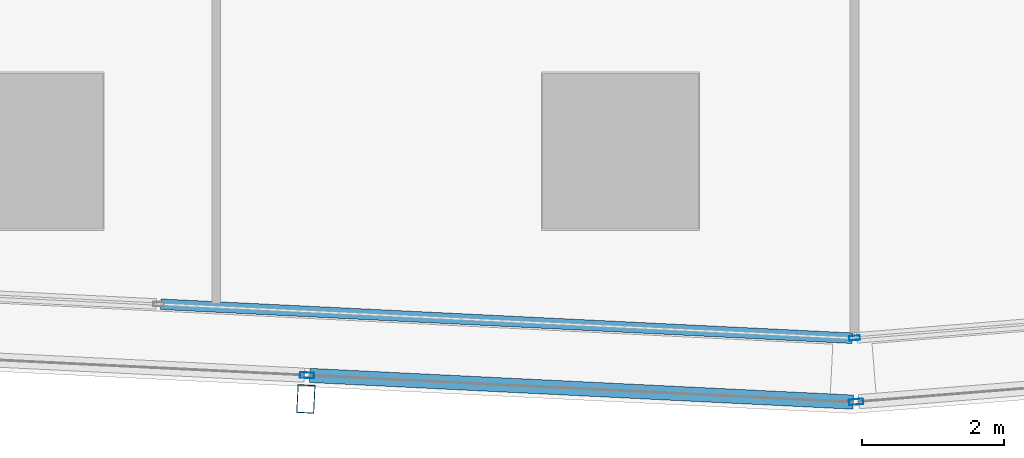
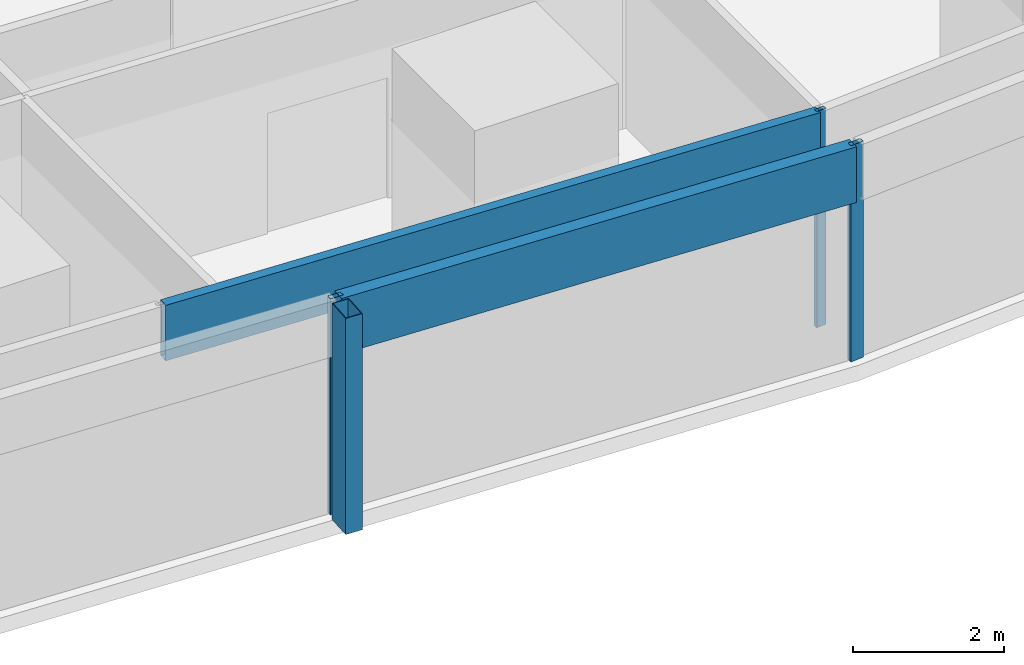
# One storey, part 9 of 44: 6 members, 4 elements without a shape of their own.
"""IFC4 building model written with IfcOpenShell, lengths in metres."""

from ifc_helpers import new_model, si_unit, direction, frame, origin, origin_2d, place, context, subcontext, project, spatial, hollow_rectangle, extrude, material, material_profile, profile_set, type_object, element, aggregate, save


model = new_model("IFC4")

# Units and contexts
model_context = context("Model", 3, precision=1e-05, world=origin(), true_north=direction((0.0, 1.0)))
body_context = subcontext(model_context, "Body", "Model", "MODEL_VIEW")
ifc_project = project(units=[si_unit("LENGTHUNIT", "METRE"), si_unit("AREAUNIT", "SQUARE_METRE"), si_unit("VOLUMEUNIT", "CUBIC_METRE"), si_unit("PLANEANGLEUNIT", "RADIAN"), si_unit("MASSUNIT", "GRAM", prefix="KILO")], contexts=[model_context])

# Site, building, storey
site_placement = place(None, origin())
site = spatial("IfcSite", under=ifc_project, at=site_placement, CompositionType="ELEMENT")
building_placement = place(site_placement, origin())
building = spatial("IfcBuilding", under=site, at=building_placement, Name="Rekha Terrace Tower", CompositionType="ELEMENT")
storey_placement = place(building_placement, frame((0.0, 0.0, 62.89990234375)))
storey = spatial("IfcBuildingStorey", under=building, at=storey_placement, Name="L15", CompositionType="ELEMENT", Elevation=62.89990234375)

# Curtain wall, member
ifc_material_1 = material(Name="Aluminium framing", Category="aluminium")
curtain_wall_type_1 = type_object("IfcCurtainWallType", Name="CW2 double skin outer glazing", PredefinedType="USERDEFINED", material=ifc_material_1)
curtain_wall_1_placement = place(storey_placement, origin())
curtain_wall_1 = element("IfcCurtainWall", 1, at=curtain_wall_1_placement, inside=storey, type_object=curtain_wall_type_1, Name="CW2 double skin outer glazing", ObjectType="DOUBLE SKIN OUTER GLAZING", PredefinedType="USERDEFINED")
ifc_material_2 = material(Name="Steel S355 with fluorocarbon finish", Category="steel")
ifc_material_profile_1 = material_profile(ifc_material_2, hollow_rectangle(XDim=0.25, YDim=0.39990234375, WallThickness=0.012451171875, at=origin_2d()), Name="RHS400x250x12.5")
ifc_profile_set_1 = profile_set([ifc_material_profile_1], Name="Steel S355 with fluorocarbon finish")
member_type_1 = type_object("IfcMemberType", Name="BL1 facade blade RHS 400 x 250", PredefinedType="USERDEFINED", material=ifc_profile_set_1)
member_1_placement = place(storey_placement, frame((37.562744140625, 4.904296875, 0.0), z_axis=(0.0, 0.0, 1.0), x_axis=(0.998796226835, -0.049051985279, 0.0)))
member_1 = element("IfcMember", 2, at=member_1_placement, type_object=member_type_1, Name="Facade blade", ObjectType="FACADE BLADE", PredefinedType="USERDEFINED", context=body_context, shape_type="SweptSolid", body=[
    extrude(hollow_rectangle(XDim=0.25, YDim=0.39990234375, WallThickness=0.012451171875, at=origin_2d()), origin(), (0.0, 0.0, 1.0), 3.5),
])

curtain_wall_type_2 = type_object("IfcCurtainWallType", Name="CW1 double skin inner glazing", PredefinedType="USERDEFINED", material=ifc_material_1)
curtain_wall_2_placement = place(storey_placement, origin())
curtain_wall_2 = element("IfcCurtainWall", 3, at=curtain_wall_2_placement, inside=storey, type_object=curtain_wall_type_2, Name="CW1 double skin inner glazing", ObjectType="DOUBLE SKIN INNER GLAZING", PredefinedType="USERDEFINED")
ifc_material_3 = material(Name="Aluminium mullion section", Category="aluminium")
ifc_material_profile_2 = material_profile(ifc_material_3, hollow_rectangle(XDim=0.06494140625, YDim=0.14990234375, WallThickness=0.00390625, at=origin_2d()), Name="AL RHS 65x150")
ifc_profile_set_2 = profile_set([ifc_material_profile_2], Name="Aluminium mullion section")
member_type_2 = type_object("IfcMemberType", Name="CW1 mullion RHS 65 x 150", PredefinedType="MULLION", material=ifc_profile_set_2)
member_2_placement = place(storey_placement, frame((45.303955078125, 5.7646484375, 0.0), z_axis=(0.0, 0.0, 1.0), x_axis=(-0.079872204468, 0.996805111821, 0.0)))
member_2 = element("IfcMember", 4, at=member_2_placement, type_object=member_type_2, Name="CW1 mullion 1", PredefinedType="MULLION", context=body_context, shape_type="SweptSolid", body=[
    extrude(hollow_rectangle(XDim=0.06494140625, YDim=0.14990234375, WallThickness=0.00390625, at=origin_2d()), origin(), (0.0, 0.0, 1.0), 3.5),
])
aggregate(curtain_wall_2, [member_2])

curtain_wall_3_placement = place(storey_placement, origin())
curtain_wall_3 = element("IfcCurtainWall", 5, at=curtain_wall_3_placement, inside=storey, type_object=curtain_wall_type_2, Name="CW1 double skin inner glazing", ObjectType="DOUBLE SKIN INNER GLAZING", PredefinedType="USERDEFINED")
ifc_material_4 = material(Name="Insulated aluminium spandrel box", Category="aluminium")
ifc_material_profile_3 = material_profile(ifc_material_4, hollow_rectangle(XDim=0.14990234375, YDim=0.89990234375, WallThickness=0.0029296875, at=origin_2d()), Name="AL SPANDREL BOX 150x900")
ifc_profile_set_3 = profile_set([ifc_material_profile_3], Name="Insulated aluminium spandrel box")
member_type_3 = type_object("IfcMemberType", Name="CW1 spandrel transom 150 x 900", PredefinedType="USERDEFINED", material=ifc_profile_set_3)
member_3_placement = place(storey_placement, frame((35.516357421875, 6.2412109375, 3.050048828125), z_axis=(0.998795409084, -0.049068633482, 0.0), x_axis=(0.049068633482, 0.998795409084, 0.0)))
member_3 = element("IfcMember", 6, at=member_3_placement, type_object=member_type_3, Name="CW1 spandrel transom 3", ObjectType="TRANSOM", PredefinedType="USERDEFINED", context=body_context, shape_type="SweptSolid", body=[
    extrude(hollow_rectangle(XDim=0.14990234375, YDim=0.89990234375, WallThickness=0.0029296875, at=origin_2d()), origin(), (0.0, 0.0, 1.0), 9.766845703125),
])
aggregate(curtain_wall_3, [member_3])

# Member
ifc_material_profile_4 = material_profile(ifc_material_3, hollow_rectangle(XDim=0.080078125, YDim=0.199951171875, WallThickness=0.00390625, at=origin_2d()), Name="AL RHS 80x200")
ifc_profile_set_4 = profile_set([ifc_material_profile_4], Name="Aluminium mullion section")
member_type_4 = type_object("IfcMemberType", Name="CW2 mullion RHS 80 x 200", PredefinedType="MULLION", material=ifc_profile_set_4)
member_4_placement = place(storey_placement, frame((37.5791015625, 5.23876953125, 0.0), z_axis=(0.0, 0.0, 1.0), x_axis=(0.049051717746, 0.998796239974, 0.0)))
member_4 = element("IfcMember", 7, at=member_4_placement, type_object=member_type_4, Name="CW2 mullion 5", PredefinedType="MULLION", context=body_context, shape_type="SweptSolid", body=[
    extrude(hollow_rectangle(XDim=0.080078125, YDim=0.199951171875, WallThickness=0.00390625, at=origin_2d()), origin(), (0.0, 0.0, 1.0), 3.5),
])

# Curtain wall, member
curtain_wall_4_placement = place(storey_placement, origin())
curtain_wall_4 = element("IfcCurtainWall", 8, at=curtain_wall_4_placement, inside=storey, type_object=curtain_wall_type_1, Name="CW2 double skin outer glazing", ObjectType="DOUBLE SKIN OUTER GLAZING", PredefinedType="USERDEFINED")
member_5_placement = place(storey_placement, frame((45.325439453125, 4.863525390625, 0.0), z_axis=(0.0, 0.0, 1.0), x_axis=(-0.079872204468, 0.996805111821, 0.0)))
member_5 = element("IfcMember", 9, at=member_5_placement, type_object=member_type_4, Name="CW2 mullion 1", PredefinedType="MULLION", context=body_context, shape_type="SweptSolid", body=[
    extrude(hollow_rectangle(XDim=0.080078125, YDim=0.199951171875, WallThickness=0.00390625, at=origin_2d()), origin(), (0.0, 0.0, 1.0), 3.5),
])
aggregate(curtain_wall_4, [member_5])

# Member
ifc_material_profile_5 = material_profile(ifc_material_4, hollow_rectangle(XDim=0.199951171875, YDim=0.89990234375, WallThickness=0.0029296875, at=origin_2d()), Name="AL SPANDREL BOX 200x900")
ifc_profile_set_5 = profile_set([ifc_material_profile_5], Name="Insulated aluminium spandrel box")
member_type_5 = type_object("IfcMemberType", Name="CW2 spandrel transom 200 x 900", PredefinedType="USERDEFINED", material=ifc_profile_set_5)
member_6_placement = place(storey_placement, frame((37.619140625, 5.23681640625, 3.050048828125), z_axis=(0.998796518042, -0.049046055373, 0.0), x_axis=(0.049046055373, 0.998796518042, 0.0)))
member_6 = element("IfcMember", 10, at=member_6_placement, type_object=member_type_5, Name="CW2 spandrel transom 5", ObjectType="TRANSOM", PredefinedType="USERDEFINED", context=body_context, shape_type="SweptSolid", body=[
    extrude(hollow_rectangle(XDim=0.199951171875, YDim=0.89990234375, WallThickness=0.0029296875, at=origin_2d()), origin(), (0.0, 0.0, 1.0), 7.67578125),
])

aggregate(curtain_wall_1, [member_4, member_6, member_1])

save(model, "model.ifc")
